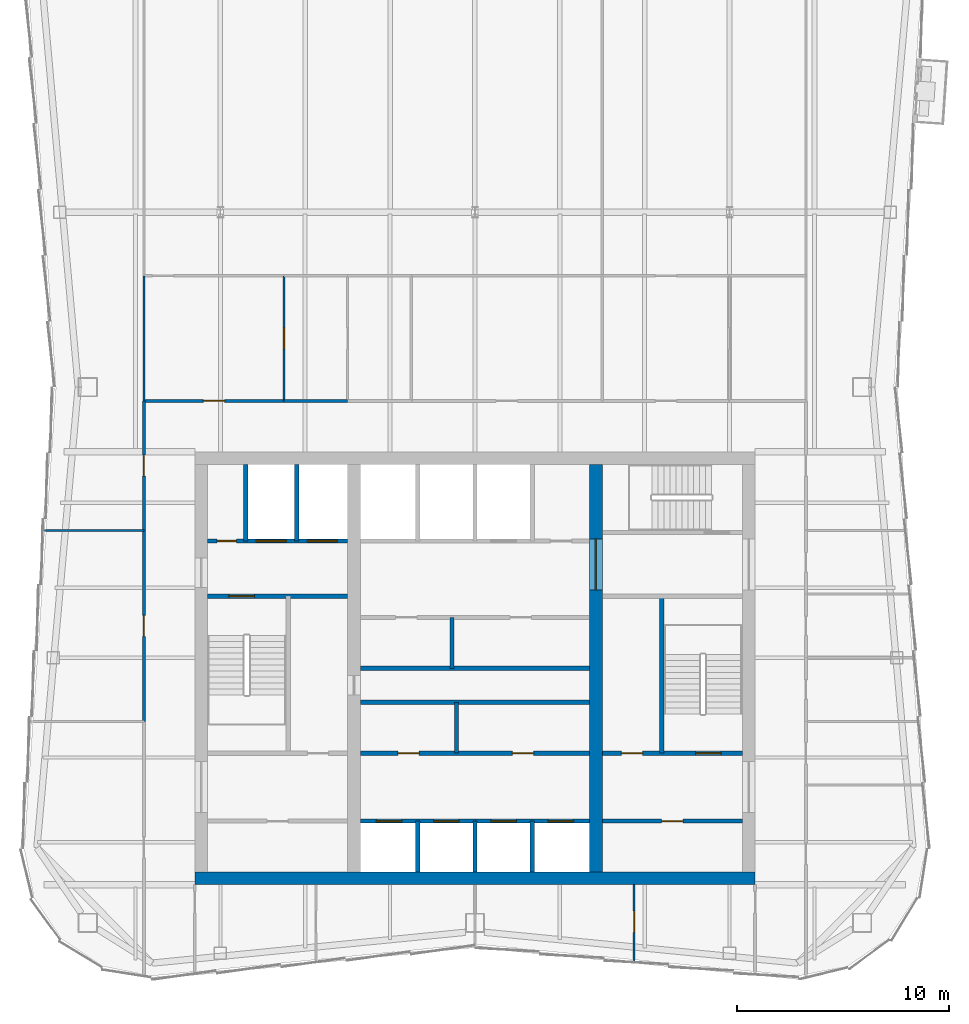
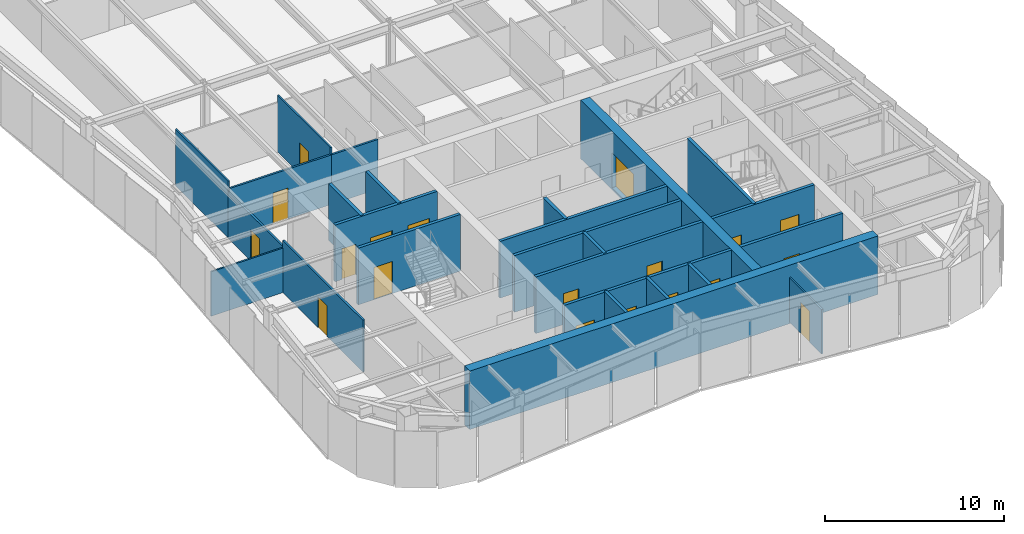
# One storey, part 6 of 10: 26 walls, 19 doors, 19 openings.
"""IFC4 building model written with IfcOpenShell, lengths in metres."""

from ifc_helpers import new_model, si_unit, direction, frame, frame_2d, origin, place, context, subcontext, project, spatial, rectangle, extrude, material, layer, layer_set, type_object, element, fill, save


model = new_model("IFC4")

# Units and contexts
model_context = context("Model", 3, precision=1e-05, world=origin(), true_north=direction((0.0, 1.0)))
body_context = subcontext(model_context, "Body", "Model", "MODEL_VIEW")
ifc_project = project(units=[si_unit("LENGTHUNIT", "METRE"), si_unit("AREAUNIT", "SQUARE_METRE"), si_unit("VOLUMEUNIT", "CUBIC_METRE"), si_unit("PLANEANGLEUNIT", "RADIAN"), si_unit("MASSUNIT", "GRAM", prefix="KILO")], contexts=[model_context])

# Site, building, storey
site_placement = place(None, origin())
site = spatial("IfcSite", under=ifc_project, at=site_placement, CompositionType="ELEMENT")
building_placement = place(site_placement, origin())
building = spatial("IfcBuilding", under=site, at=building_placement, Name="Verdant Reach Tower", CompositionType="ELEMENT")
storey_placement = place(building_placement, frame((0.0, 0.0, 310.0)))
storey = spatial("IfcBuildingStorey", under=building, at=storey_placement, Name="L71", CompositionType="ELEMENT", Elevation=310.0)

# Wall, opening, door
ifc_material_1 = material(Name="Gypsum board on steel studs", Category="steel")
ifc_layer_1 = layer(ifc_material_1, 0.199951171875)
ifc_layer_set_1 = layer_set([ifc_layer_1], Name="CO-WALL-ROOM")
wall_type_1 = type_object("IfcWallType", Name="CO-WALL-ROOM", PredefinedType="PARTITIONING", material=ifc_layer_set_1)
wall_1_placement = place(storey_placement, frame((6.0, 20.800048828125, 0.0), z_axis=(0.0, 0.0, 1.0), x_axis=(1.0, 0.0, 0.0)))
wall_1 = element("IfcWall", 1, at=wall_1_placement, inside=storey, type_object=wall_type_1, Name="Core partition, L71", PredefinedType="PARTITIONING", context=body_context, shape_type="SweptSolid", body=[
    extrude(rectangle(XDim=6.60009765625, YDim=0.199951171875, at=frame_2d((3.300048828125, 0.0))), origin(), (0.0, 0.0, 1.0), 3.8701171875),
])
opening_1_placement = place(wall_1_placement, frame((2.800048828125, 0.0, 0.0)))
opening_1 = element("IfcOpeningElement", 2, at=opening_1_placement, cuts=wall_1, Name="Opening CD", PredefinedType="OPENING", context=body_context, shape_type="SweptSolid", body=[
    extrude(rectangle(XDim=1.0, YDim=2.10009765625, at=frame_2d((0.5, 1.050048828125))), frame((0.0, 0.10986328125, 0.0), z_axis=(0.0, -1.0, 0.0), x_axis=(1.0, 0.0, 0.0)), (0.0, 0.0, 1.0), 0.219970703125),
])
ifc_material_2 = material(Name="Timber", Category="wood")
door_type_1 = type_object("IfcDoorType", Name="CO-DOOR-ROOM", OperationType="NOTDEFINED", PredefinedType="DOOR", material=ifc_material_2)
door_1_placement = place(opening_1_placement, origin())
door_1 = element("IfcDoor", 3, at=door_1_placement, inside=storey, type_object=door_type_1, Name="Core room door, L71", OperationType="SINGLE_SWING_RIGHT", OverallHeight=2.10009765625, OverallWidth=1.0, PredefinedType="DOOR", context=body_context, shape_type="SweptSolid", body=[
    extrude(rectangle(XDim=1.0, YDim=2.10009765625, at=frame_2d((0.5, 1.050048828125))), frame((0.0, 0.02490234375, 0.0), z_axis=(0.0, -1.0, 0.0), x_axis=(1.0, 0.0, 0.0)), (0.0, 0.0, 1.0), 0.050048828125),
])
fill(opening_1, door_1)

# Wall, openings, doors
wall_2_placement = place(storey_placement, frame((-5.39990234375, 24.0, 0.0), z_axis=(0.0, 0.0, 1.0), x_axis=(1.0, 0.0, 0.0)))
wall_2 = element("IfcWall", 4, at=wall_2_placement, inside=storey, type_object=wall_type_1, Name="Core partition, L71", PredefinedType="PARTITIONING", context=body_context, shape_type="SweptSolid", body=[
    extrude(rectangle(XDim=10.7998046875, YDim=0.199951171875, at=frame_2d((5.39990234375, 0.0))), origin(), (0.0, 0.0, 1.0), 3.8701171875),
])
opening_2_placement = place(wall_2_placement, frame((1.76806640625, 0.0, 0.0)))
opening_2 = element("IfcOpeningElement", 5, at=opening_2_placement, cuts=wall_2, Name="Opening CD", PredefinedType="OPENING", context=body_context, shape_type="SweptSolid", body=[
    extrude(rectangle(XDim=1.0, YDim=2.10009765625, at=frame_2d((0.5, 1.050048828125))), frame((0.0, 0.10986328125, 0.0), z_axis=(0.0, -1.0, 0.0), x_axis=(1.0, 0.0, 0.0)), (0.0, 0.0, 1.0), 0.219970703125),
])
opening_3_placement = place(wall_2_placement, frame((7.16796875, 0.0, 0.0)))
opening_3 = element("IfcOpeningElement", 6, at=opening_3_placement, cuts=wall_2, Name="Opening CD", PredefinedType="OPENING", context=body_context, shape_type="SweptSolid", body=[
    extrude(rectangle(XDim=1.0, YDim=2.10009765625, at=frame_2d((0.5, 1.050048828125))), frame((0.0, 0.10986328125, 0.0), z_axis=(0.0, -1.0, 0.0), x_axis=(1.0, 0.0, 0.0)), (0.0, 0.0, 1.0), 0.219970703125),
])
door_2_placement = place(opening_2_placement, origin())
door_2 = element("IfcDoor", 7, at=door_2_placement, inside=storey, type_object=door_type_1, Name="Core room door, L71", OperationType="SINGLE_SWING_LEFT", OverallHeight=2.10009765625, OverallWidth=1.0, PredefinedType="DOOR", context=body_context, shape_type="SweptSolid", body=[
    extrude(rectangle(XDim=1.0, YDim=2.10009765625, at=frame_2d((0.5, 1.050048828125))), frame((0.0, 0.02490234375, 0.0), z_axis=(0.0, -1.0, 0.0), x_axis=(1.0, 0.0, 0.0)), (0.0, 0.0, 1.0), 0.050048828125),
])
fill(opening_2, door_2)
door_3_placement = place(opening_3_placement, origin())
door_3 = element("IfcDoor", 8, at=door_3_placement, inside=storey, type_object=door_type_1, Name="Core room door, L71", OperationType="SINGLE_SWING_RIGHT", OverallHeight=2.10009765625, OverallWidth=1.0, PredefinedType="DOOR", context=body_context, shape_type="SweptSolid", body=[
    extrude(rectangle(XDim=1.0, YDim=2.10009765625, at=frame_2d((0.5, 1.050048828125))), frame((0.0, 0.02490234375, 0.0), z_axis=(0.0, -1.0, 0.0), x_axis=(1.0, 0.0, 0.0)), (0.0, 0.0, 1.0), 0.050048828125),
])
fill(opening_3, door_3)

# Walls
for number, where, z_axis, x_axis, name in (
    (9, (-5.39990234375, 26.39990234375, 0.0), (0.0, 0.0, 1.0), (1.0, 0.0, 0.0), "Core partition, L71"),
    (10, (-5.39990234375, 28.0, 0.0), (0.0, 0.0, 1.0), (1.0, 0.0, 0.0), "Core partition, L71"),
):
    element("IfcWall", number, at=place(storey_placement, frame(where, z_axis=z_axis, x_axis=x_axis)), inside=storey, type_object=wall_type_1, Name=name, PredefinedType="PARTITIONING", context=body_context, shape_type="SweptSolid", body=[
        extrude(rectangle(XDim=10.7998046875, YDim=0.199951171875, at=frame_2d((5.39990234375, 0.0))), origin(), (0.0, 0.0, 1.0), 3.8701171875),
    ])
for number, where, z_axis, x_axis, name in (
    (11, (-1.080078125, 28.0, 0.0), (0.0, 0.0, 1.0), (0.0, 1.0, 0.0), "Core partition, L71"),
    (12, (-0.864013671875, 24.0, 0.0), (0.0, 0.0, 1.0), (0.0, 1.0, 0.0), "Core partition, L71"),
):
    element("IfcWall", number, at=place(storey_placement, frame(where, z_axis=z_axis, x_axis=x_axis)), inside=storey, type_object=wall_type_1, Name=name, PredefinedType="PARTITIONING", context=body_context, shape_type="SweptSolid", body=[
        extrude(rectangle(XDim=2.39990234375, YDim=0.199951171875, at=frame_2d((1.199951171875, 0.0))), origin(), (0.0, 0.0, 1.0), 3.8701171875),
    ])

# Wall, openings, doors
ifc_material_3 = material(Name="Concrete C40/50", Category="concrete")
ifc_layer_2 = layer(ifc_material_3, 0.199951171875)
ifc_layer_set_2 = layer_set([ifc_layer_2], Name="CO-WALL-SHAFT")
wall_type_2 = type_object("IfcWallType", Name="CO-WALL-SHAFT", PredefinedType="PARTITIONING", material=ifc_layer_set_2)
wall_3_placement = place(storey_placement, frame((-5.39990234375, 20.800048828125, 0.0), z_axis=(0.0, 0.0, 1.0), x_axis=(1.0, 0.0, 0.0)))
wall_3 = element("IfcWall", 13, at=wall_3_placement, inside=storey, type_object=wall_type_2, Name="Lift shaft wall, L71", PredefinedType="PARTITIONING", context=body_context, shape_type="SweptSolid", body=[
    extrude(rectangle(XDim=10.7998046875, YDim=0.199951171875, at=frame_2d((5.39990234375, 0.0))), origin(), (0.0, 0.0, 1.0), 3.8701171875),
])
opening_4_placement = place(wall_3_placement, frame((0.75, 0.0, 0.0)))
opening_4 = element("IfcOpeningElement", 14, at=opening_4_placement, cuts=wall_3, Name="Opening LD-B1", PredefinedType="OPENING", context=body_context, shape_type="SweptSolid", body=[
    extrude(rectangle(XDim=1.199951171875, YDim=2.199951171875, at=frame_2d((0.60009765625, 1.10009765625))), frame((0.0, 0.10986328125, 0.0), z_axis=(0.0, -1.0, 0.0), x_axis=(1.0, 0.0, 0.0)), (0.0, 0.0, 1.0), 0.219970703125),
])
opening_5_placement = place(wall_3_placement, frame((3.449951171875, 0.0, 0.0)))
opening_5 = element("IfcOpeningElement", 15, at=opening_5_placement, cuts=wall_3, Name="Opening LD-B2", PredefinedType="OPENING", context=body_context, shape_type="SweptSolid", body=[
    extrude(rectangle(XDim=1.199951171875, YDim=2.199951171875, at=frame_2d((0.60009765625, 1.10009765625))), frame((0.0, 0.10986328125, 0.0), z_axis=(0.0, -1.0, 0.0), x_axis=(1.0, 0.0, 0.0)), (0.0, 0.0, 1.0), 0.219970703125),
])
opening_6_placement = place(wall_3_placement, frame((6.14990234375, 0.0, 0.0)))
opening_6 = element("IfcOpeningElement", 16, at=opening_6_placement, cuts=wall_3, Name="Opening LD-B3", PredefinedType="OPENING", context=body_context, shape_type="SweptSolid", body=[
    extrude(rectangle(XDim=1.199951171875, YDim=2.199951171875, at=frame_2d((0.60009765625, 1.10009765625))), frame((0.0, 0.10986328125, 0.0), z_axis=(0.0, -1.0, 0.0), x_axis=(1.0, 0.0, 0.0)), (0.0, 0.0, 1.0), 0.219970703125),
])
opening_7_placement = place(wall_3_placement, frame((8.85009765625, 0.0, 0.0)))
opening_7 = element("IfcOpeningElement", 17, at=opening_7_placement, cuts=wall_3, Name="Opening LD-B4", PredefinedType="OPENING", context=body_context, shape_type="SweptSolid", body=[
    extrude(rectangle(XDim=1.199951171875, YDim=2.199951171875, at=frame_2d((0.60009765625, 1.10009765625))), frame((0.0, 0.10986328125, 0.0), z_axis=(0.0, -1.0, 0.0), x_axis=(1.0, 0.0, 0.0)), (0.0, 0.0, 1.0), 0.219970703125),
])
ifc_material_4 = material(Name="Stainless steel", Category="steel")
door_type_2 = type_object("IfcDoorType", Name="CO-DOOR-LANDING", OperationType="SLIDING_TO_LEFT", PredefinedType="DOOR", material=ifc_material_4)
door_4_placement = place(opening_4_placement, origin())
door_4 = element("IfcDoor", 18, at=door_4_placement, inside=storey, type_object=door_type_2, Name="Landing door B1, L71", OperationType="SLIDING_TO_LEFT", OverallHeight=2.199951171875, OverallWidth=1.199951171875, PredefinedType="DOOR", context=body_context, shape_type="SweptSolid", body=[
    extrude(rectangle(XDim=1.199951171875, YDim=2.199951171875, at=frame_2d((0.60009765625, 1.10009765625))), frame((0.0, 0.02490234375, 0.0), z_axis=(0.0, -1.0, 0.0), x_axis=(1.0, 0.0, 0.0)), (0.0, 0.0, 1.0), 0.050048828125),
])
fill(opening_4, door_4)
door_5_placement = place(opening_5_placement, origin())
door_5 = element("IfcDoor", 19, at=door_5_placement, inside=storey, type_object=door_type_2, Name="Landing door B2, L71", OperationType="SLIDING_TO_LEFT", OverallHeight=2.199951171875, OverallWidth=1.199951171875, PredefinedType="DOOR", context=body_context, shape_type="SweptSolid", body=[
    extrude(rectangle(XDim=1.199951171875, YDim=2.199951171875, at=frame_2d((0.60009765625, 1.10009765625))), frame((0.0, 0.02490234375, 0.0), z_axis=(0.0, -1.0, 0.0), x_axis=(1.0, 0.0, 0.0)), (0.0, 0.0, 1.0), 0.050048828125),
])
fill(opening_5, door_5)
door_6_placement = place(opening_6_placement, origin())
door_6 = element("IfcDoor", 20, at=door_6_placement, inside=storey, type_object=door_type_2, Name="Landing door B3, L71", OperationType="SLIDING_TO_LEFT", OverallHeight=2.199951171875, OverallWidth=1.199951171875, PredefinedType="DOOR", context=body_context, shape_type="SweptSolid", body=[
    extrude(rectangle(XDim=1.199951171875, YDim=2.199951171875, at=frame_2d((0.60009765625, 1.10009765625))), frame((0.0, 0.02490234375, 0.0), z_axis=(0.0, -1.0, 0.0), x_axis=(1.0, 0.0, 0.0)), (0.0, 0.0, 1.0), 0.050048828125),
])
fill(opening_6, door_6)
door_7_placement = place(opening_7_placement, origin())
door_7 = element("IfcDoor", 21, at=door_7_placement, inside=storey, type_object=door_type_2, Name="Landing door B4, L71", OperationType="SLIDING_TO_LEFT", OverallHeight=2.199951171875, OverallWidth=1.199951171875, PredefinedType="DOOR", context=body_context, shape_type="SweptSolid", body=[
    extrude(rectangle(XDim=1.199951171875, YDim=2.199951171875, at=frame_2d((0.60009765625, 1.10009765625))), frame((0.0, 0.02490234375, 0.0), z_axis=(0.0, -1.0, 0.0), x_axis=(1.0, 0.0, 0.0)), (0.0, 0.0, 1.0), 0.050048828125),
])
fill(opening_7, door_7)

wall_4_placement = place(storey_placement, frame((-12.60009765625, 34.0, 0.0), z_axis=(0.0, 0.0, 1.0), x_axis=(1.0, 0.0, 0.0)))
wall_4 = element("IfcWall", 22, at=wall_4_placement, inside=storey, type_object=wall_type_2, Name="Lift shaft wall, L71", PredefinedType="PARTITIONING", context=body_context, shape_type="SweptSolid", body=[
    extrude(rectangle(XDim=6.60009765625, YDim=0.199951171875, at=frame_2d((3.300048828125, 0.0))), origin(), (0.0, 0.0, 1.0), 3.8701171875),
])
opening_8_placement = place(wall_4_placement, frame((4.699951171875, 0.0, 0.0)))
opening_8 = element("IfcOpeningElement", 23, at=opening_8_placement, cuts=wall_4, Name="Opening LD-F1", PredefinedType="OPENING", context=body_context, shape_type="SweptSolid", body=[
    extrude(rectangle(XDim=1.39990234375, YDim=2.199951171875, at=frame_2d((0.699951171875, 1.10009765625))), frame((0.0, 0.10986328125, 0.0), z_axis=(0.0, -1.0, 0.0), x_axis=(1.0, 0.0, 0.0)), (0.0, 0.0, 1.0), 0.219970703125),
])
opening_9_placement = place(wall_4_placement, frame((2.300048828125, 0.0, 0.0)))
opening_9 = element("IfcOpeningElement", 24, at=opening_9_placement, cuts=wall_4, Name="Opening LD-F2", PredefinedType="OPENING", context=body_context, shape_type="SweptSolid", body=[
    extrude(rectangle(XDim=1.39990234375, YDim=2.199951171875, at=frame_2d((0.699951171875, 1.10009765625))), frame((0.0, 0.10986328125, 0.0), z_axis=(0.0, -1.0, 0.0), x_axis=(1.0, 0.0, 0.0)), (0.0, 0.0, 1.0), 0.219970703125),
])
opening_10_placement = place(wall_4_placement, frame((0.449951171875, 0.0, 0.0)))
opening_10 = element("IfcOpeningElement", 25, at=opening_10_placement, cuts=wall_4, Name="Opening RD", PredefinedType="OPENING", context=body_context, shape_type="SweptSolid", body=[
    extrude(rectangle(XDim=0.89990234375, YDim=2.10009765625, at=frame_2d((0.449951171875, 1.050048828125))), frame((0.0, 0.10986328125, 0.0), z_axis=(0.0, -1.0, 0.0), x_axis=(1.0, 0.0, 0.0)), (0.0, 0.0, 1.0), 0.219970703125),
])
door_type_3 = type_object("IfcDoorType", Name="CO-DOOR-LANDING-FF", OperationType="SLIDING_TO_LEFT", PredefinedType="DOOR", material=ifc_material_4)
door_8_placement = place(opening_8_placement, origin())
door_8 = element("IfcDoor", 26, at=door_8_placement, inside=storey, type_object=door_type_3, Name="Landing door F1, L71", OperationType="SLIDING_TO_LEFT", OverallHeight=2.199951171875, OverallWidth=1.39990234375, PredefinedType="DOOR", context=body_context, shape_type="SweptSolid", body=[
    extrude(rectangle(XDim=1.39990234375, YDim=2.199951171875, at=frame_2d((0.699951171875, 1.10009765625))), frame((0.0, 0.02490234375, 0.0), z_axis=(0.0, -1.0, 0.0), x_axis=(1.0, 0.0, 0.0)), (0.0, 0.0, 1.0), 0.050048828125),
])
fill(opening_8, door_8)
door_9_placement = place(opening_9_placement, origin())
door_9 = element("IfcDoor", 27, at=door_9_placement, inside=storey, type_object=door_type_3, Name="Landing door F2, L71", OperationType="SLIDING_TO_LEFT", OverallHeight=2.199951171875, OverallWidth=1.39990234375, PredefinedType="DOOR", context=body_context, shape_type="SweptSolid", body=[
    extrude(rectangle(XDim=1.39990234375, YDim=2.199951171875, at=frame_2d((0.699951171875, 1.10009765625))), frame((0.0, 0.02490234375, 0.0), z_axis=(0.0, -1.0, 0.0), x_axis=(1.0, 0.0, 0.0)), (0.0, 0.0, 1.0), 0.050048828125),
])
fill(opening_9, door_9)
ifc_material_5 = material(Name="Steel", Category="steel")
door_type_4 = type_object("IfcDoorType", Name="CO-DOOR-RISER", OperationType="NOTDEFINED", PredefinedType="DOOR", material=ifc_material_5)
door_10_placement = place(opening_10_placement, origin())
door_10 = element("IfcDoor", 28, at=door_10_placement, inside=storey, type_object=door_type_4, Name="Core room door, L71", OperationType="SINGLE_SWING_RIGHT", OverallHeight=2.10009765625, OverallWidth=0.89990234375, PredefinedType="DOOR", context=body_context, shape_type="SweptSolid", body=[
    extrude(rectangle(XDim=0.89990234375, YDim=2.10009765625, at=frame_2d((0.449951171875, 1.050048828125))), frame((0.0, 0.02490234375, 0.0), z_axis=(0.0, -1.0, 0.0), x_axis=(1.0, 0.0, 0.0)), (0.0, 0.0, 1.0), 0.050048828125),
])
fill(opening_10, door_10)

# Walls
for number, where, z_axis, x_axis, name in (
    (29, (-10.800048828125, 34.0, 0.0), (0.0, 0.0, 1.0), (0.0, 1.0, 0.0), "Lift shaft wall, L71"),
    (30, (-8.39990234375, 34.0, 0.0), (0.0, 0.0, 1.0), (0.0, 1.0, 0.0), "Lift shaft wall, L71"),
):
    element("IfcWall", number, at=place(storey_placement, frame(where, z_axis=z_axis, x_axis=x_axis)), inside=storey, type_object=wall_type_2, Name=name, PredefinedType="PARTITIONING", context=body_context, shape_type="SweptSolid", body=[
        extrude(rectangle(XDim=3.60009765625, YDim=0.199951171875, at=frame_2d((1.800048828125, 0.0))), origin(), (0.0, 0.0, 1.0), 3.8701171875),
    ])
for number, where, z_axis, x_axis, name in (
    (31, (-2.699951171875, 18.39990234375, 0.0), (0.0, 0.0, 1.0), (0.0, 1.0, 0.0), "Lift shaft wall, L71"),
    (32, (0.0, 18.39990234375, 0.0), (0.0, 0.0, 1.0), (0.0, 1.0, 0.0), "Lift shaft wall, L71"),
    (33, (2.699951171875, 18.39990234375, 0.0), (0.0, 0.0, 1.0), (0.0, 1.0, 0.0), "Lift shaft wall, L71"),
):
    element("IfcWall", number, at=place(storey_placement, frame(where, z_axis=z_axis, x_axis=x_axis)), inside=storey, type_object=wall_type_2, Name=name, PredefinedType="PARTITIONING", context=body_context, shape_type="SweptSolid", body=[
        extrude(rectangle(XDim=2.400146484375, YDim=0.199951171875, at=frame_2d((1.2001953125, 0.0))), origin(), (0.0, 0.0, 1.0), 3.8701171875),
    ])

# Wall, openings, doors
ifc_layer_3 = layer(ifc_material_3, 0.199951171875)
ifc_layer_set_3 = layer_set([ifc_layer_3], Name="CO-WALL-STAIR")
wall_type_3 = type_object("IfcWallType", Name="CO-WALL-STAIR", PredefinedType="PARTITIONING", material=ifc_layer_set_3)
wall_5_placement = place(storey_placement, frame((6.0, 24.0, 0.0), z_axis=(0.0, 0.0, 1.0), x_axis=(1.0, 0.0, 0.0)))
wall_5 = element("IfcWall", 34, at=wall_5_placement, inside=storey, type_object=wall_type_3, Name="Stair enclosure wall, L71", PredefinedType="PARTITIONING", context=body_context, shape_type="SweptSolid", body=[
    extrude(rectangle(XDim=6.60009765625, YDim=0.199951171875, at=frame_2d((3.300048828125, 0.0))), origin(), (0.0, 0.0, 1.0), 3.8701171875),
])
opening_11_placement = place(wall_5_placement, frame((0.89990234375, 0.0, 0.0)))
opening_11 = element("IfcOpeningElement", 35, at=opening_11_placement, cuts=wall_5, Name="Opening CD", PredefinedType="OPENING", context=body_context, shape_type="SweptSolid", body=[
    extrude(rectangle(XDim=1.0, YDim=2.10009765625, at=frame_2d((0.5, 1.050048828125))), frame((0.0, 0.10986328125, 0.0), z_axis=(0.0, -1.0, 0.0), x_axis=(1.0, 0.0, 0.0)), (0.0, 0.0, 1.0), 0.219970703125),
])
opening_12_placement = place(wall_5_placement, frame((4.39990234375, 0.0, 0.0)))
opening_12 = element("IfcOpeningElement", 36, at=opening_12_placement, cuts=wall_5, Name="Opening SD", PredefinedType="OPENING", context=body_context, shape_type="SweptSolid", body=[
    extrude(rectangle(XDim=1.199951171875, YDim=2.199951171875, at=frame_2d((0.60009765625, 1.10009765625))), frame((0.0, 0.10986328125, 0.0), z_axis=(0.0, -1.0, 0.0), x_axis=(1.0, 0.0, 0.0)), (0.0, 0.0, 1.0), 0.219970703125),
])
door_11_placement = place(opening_11_placement, origin())
door_11 = element("IfcDoor", 37, at=door_11_placement, inside=storey, type_object=door_type_1, Name="Core room door, L71", OperationType="SINGLE_SWING_LEFT", OverallHeight=2.10009765625, OverallWidth=1.0, PredefinedType="DOOR", context=body_context, shape_type="SweptSolid", body=[
    extrude(rectangle(XDim=1.0, YDim=2.10009765625, at=frame_2d((0.5, 1.050048828125))), frame((0.0, 0.02490234375, 0.0), z_axis=(0.0, -1.0, 0.0), x_axis=(1.0, 0.0, 0.0)), (0.0, 0.0, 1.0), 0.050048828125),
])
fill(opening_11, door_11)
door_type_5 = type_object("IfcDoorType", Name="CO-DOOR-STAIR", OperationType="NOTDEFINED", PredefinedType="DOOR", material=ifc_material_5)
door_12_placement = place(opening_12_placement, origin())
door_12 = element("IfcDoor", 38, at=door_12_placement, inside=storey, type_object=door_type_5, Name="Stair door, L71", OperationType="SINGLE_SWING_LEFT", OverallHeight=2.199951171875, OverallWidth=1.199951171875, PredefinedType="DOOR", context=body_context, shape_type="SweptSolid", body=[
    extrude(rectangle(XDim=1.199951171875, YDim=2.199951171875, at=frame_2d((0.60009765625, 1.10009765625))), frame((0.0, 0.02490234375, 0.0), z_axis=(0.0, -1.0, 0.0), x_axis=(1.0, 0.0, 0.0)), (0.0, 0.0, 1.0), 0.050048828125),
])
fill(opening_12, door_12)

# Wall, opening, door
wall_6_placement = place(storey_placement, frame((-12.60009765625, 31.39990234375, 0.0), z_axis=(0.0, 0.0, 1.0), x_axis=(1.0, 0.0, 0.0)))
wall_6 = element("IfcWall", 39, at=wall_6_placement, inside=storey, type_object=wall_type_3, Name="Stair enclosure wall, L71", PredefinedType="PARTITIONING", context=body_context, shape_type="SweptSolid", body=[
    extrude(rectangle(XDim=6.60009765625, YDim=0.199951171875, at=frame_2d((3.300048828125, 0.0))), origin(), (0.0, 0.0, 1.0), 3.8701171875),
])
opening_13_placement = place(wall_6_placement, frame((1.0, 0.0, 0.0)))
opening_13 = element("IfcOpeningElement", 40, at=opening_13_placement, cuts=wall_6, Name="Opening SD", PredefinedType="OPENING", context=body_context, shape_type="SweptSolid", body=[
    extrude(rectangle(XDim=1.199951171875, YDim=2.199951171875, at=frame_2d((0.60009765625, 1.10009765625))), frame((0.0, 0.10986328125, 0.0), z_axis=(0.0, -1.0, 0.0), x_axis=(1.0, 0.0, 0.0)), (0.0, 0.0, 1.0), 0.219970703125),
])
door_13_placement = place(opening_13_placement, origin())
door_13 = element("IfcDoor", 41, at=door_13_placement, inside=storey, type_object=door_type_5, Name="Stair door, L71", OperationType="SINGLE_SWING_RIGHT", OverallHeight=2.199951171875, OverallWidth=1.199951171875, PredefinedType="DOOR", context=body_context, shape_type="SweptSolid", body=[
    extrude(rectangle(XDim=1.199951171875, YDim=2.199951171875, at=frame_2d((0.60009765625, 1.10009765625))), frame((0.0, 0.02490234375, 0.0), z_axis=(0.0, -1.0, 0.0), x_axis=(1.0, 0.0, 0.0)), (0.0, 0.0, 1.0), 0.050048828125),
])
fill(opening_13, door_13)

# Walls
wall_7_placement = place(storey_placement, frame((8.800048828125, 24.0, 0.0), z_axis=(0.0, 0.0, 1.0), x_axis=(0.0, 1.0, 0.0)))
element("IfcWall", 42, at=wall_7_placement, inside=storey, type_object=wall_type_3, Name="Stair enclosure wall, L71", PredefinedType="PARTITIONING", context=body_context, shape_type="SweptSolid", body=[
    extrude(rectangle(XDim=7.39990234375, YDim=0.199951171875, at=frame_2d((3.699951171875, 0.0))), origin(), (0.0, 0.0, 1.0), 3.8701171875),
])
ifc_layer_4 = layer(ifc_material_1, 0.10009765625)
ifc_layer_set_4 = layer_set([ifc_layer_4], Name="FL-W1 Partition 100")
wall_type_4 = type_object("IfcWallType", Name="FL-W1 Partition 100", PredefinedType="PARTITIONING", material=ifc_layer_set_4)
wall_8_placement = place(storey_placement, frame((-15.60009765625, 34.5, 0.0), z_axis=(0.0, 0.0, 1.0), x_axis=(-1.0, 0.0, 0.0)))
element("IfcWall", 43, at=wall_8_placement, inside=storey, type_object=wall_type_4, Name="Partition 71.19", PredefinedType="PARTITIONING", context=body_context, shape_type="SweptSolid", body=[
    extrude(rectangle(XDim=4.6953125, YDim=0.10009765625, at=frame_2d((2.34765625, 0.0))), origin(), (0.0, 0.0, 1.0), 3.0400390625),
])
wall_9_placement = place(storey_placement, frame((-15.60009765625, 40.60009765625, 0.0), z_axis=(0.0, 0.0, 1.0), x_axis=(0.0, 1.0, 0.0)))
element("IfcWall", 44, at=wall_9_placement, inside=storey, type_object=wall_type_4, Name="Partition 71.20", PredefinedType="PARTITIONING", context=body_context, shape_type="SweptSolid", body=[
    extrude(rectangle(XDim=5.89990234375, YDim=0.10009765625, at=frame_2d((2.949951171875, 0.0))), origin(), (0.0, 0.0, 1.0), 3.8701171875),
])

# Wall, opening, door
wall_10_placement = place(storey_placement, frame((7.5, 14.182373046875, 0.0), z_axis=(0.0, 0.0, 1.0), x_axis=(0.0, 1.0, 0.0)))
wall_10 = element("IfcWall", 45, at=wall_10_placement, inside=storey, type_object=wall_type_4, Name="Partition 71.33", PredefinedType="PARTITIONING", context=body_context, shape_type="SweptSolid", body=[
    extrude(rectangle(XDim=3.61767578125, YDim=0.10009765625, at=frame_2d((1.808837890625, 0.0))), origin(), (0.0, 0.0, 1.0), 3.0400390625),
])
opening_14_placement = place(wall_10_placement, frame((1.3740234375, 0.0, 0.0)))
opening_14 = element("IfcOpeningElement", 46, at=opening_14_placement, cuts=wall_10, Name="Opening D3", PredefinedType="OPENING", context=body_context, shape_type="SweptSolid", body=[
    extrude(rectangle(XDim=1.0, YDim=2.10009765625, at=frame_2d((0.5, 1.050048828125))), frame((0.0, 0.06005859375, 0.0), z_axis=(0.0, -1.0, 0.0), x_axis=(1.0, 0.0, 0.0)), (0.0, 0.0, 1.0), 0.1201171875),
])
ifc_material_6 = material(Name="Painted timber door leaf", Category="wood")
door_type_6 = type_object("IfcDoorType", Name="FL-D3 Door 1000x2100", OperationType="NOTDEFINED", PredefinedType="DOOR", material=ifc_material_6)
door_14_placement = place(opening_14_placement, origin())
door_14 = element("IfcDoor", 47, at=door_14_placement, inside=storey, type_object=door_type_6, Name="Door 71-016", OperationType="SINGLE_SWING_RIGHT", OverallHeight=2.10009765625, OverallWidth=1.0, PredefinedType="DOOR", context=body_context, shape_type="SweptSolid", body=[
    extrude(rectangle(XDim=1.0, YDim=2.10009765625, at=frame_2d((0.5, 1.050048828125))), frame((0.0, 0.02490234375, 0.0), z_axis=(0.0, -1.0, 0.0), x_axis=(1.0, 0.0, 0.0)), (0.0, 0.0, 1.0), 0.050048828125),
])
fill(opening_14, door_14)

wall_11_placement = place(storey_placement, frame((-9.0, 46.5, 0.0), z_axis=(0.0, 0.0, 1.0), x_axis=(0.0, -1.0, 0.0)))
wall_11 = element("IfcWall", 48, at=wall_11_placement, inside=storey, type_object=wall_type_4, Name="Partition 71.34", PredefinedType="PARTITIONING", context=body_context, shape_type="SweptSolid", body=[
    extrude(rectangle(XDim=5.89990234375, YDim=0.10009765625, at=frame_2d((2.949951171875, 0.0))), origin(), (0.0, 0.0, 1.0), 3.8701171875),
])
opening_15_placement = place(wall_11_placement, frame((2.449951171875, 0.0, 0.0)))
opening_15 = element("IfcOpeningElement", 49, at=opening_15_placement, cuts=wall_11, Name="Opening D3", PredefinedType="OPENING", context=body_context, shape_type="SweptSolid", body=[
    extrude(rectangle(XDim=1.0, YDim=2.10009765625, at=frame_2d((0.5, 1.050048828125))), frame((0.0, 0.06005859375, 0.0), z_axis=(0.0, -1.0, 0.0), x_axis=(1.0, 0.0, 0.0)), (0.0, 0.0, 1.0), 0.1201171875),
])
door_15_placement = place(opening_15_placement, origin())
door_15 = element("IfcDoor", 50, at=door_15_placement, inside=storey, type_object=door_type_6, Name="Door 71-017", OperationType="SINGLE_SWING_LEFT", OverallHeight=2.10009765625, OverallWidth=1.0, PredefinedType="DOOR", context=body_context, shape_type="SweptSolid", body=[
    extrude(rectangle(XDim=1.0, YDim=2.10009765625, at=frame_2d((0.5, 1.050048828125))), frame((0.0, 0.02490234375, 0.0), z_axis=(0.0, -1.0, 0.0), x_axis=(1.0, 0.0, 0.0)), (0.0, 0.0, 1.0), 0.050048828125),
])
fill(opening_15, door_15)

ifc_material_7 = material(Name="Gypsum board on steel studs, fire rated", Category="steel")
ifc_layer_5 = layer(ifc_material_7, 0.125)
ifc_layer_set_5 = layer_set([ifc_layer_5], Name="FL-W2 Corridor wall 125")
wall_type_5 = type_object("IfcWallType", Name="FL-W2 Corridor wall 125", PredefinedType="PARTITIONING", material=ifc_layer_set_5)
wall_12_placement = place(storey_placement, frame((-15.60009765625, 25.5, 0.0), z_axis=(0.0, 0.0, 1.0), x_axis=(0.0, 1.0, 0.0)))
wall_12 = element("IfcWall", 51, at=wall_12_placement, inside=storey, type_object=wall_type_5, Name="Partition 71.02", PredefinedType="PARTITIONING", context=body_context, shape_type="SweptSolid", body=[
    extrude(rectangle(XDim=9.0, YDim=0.125, at=frame_2d((4.5, 0.0))), origin(), (0.0, 0.0, 1.0), 3.5400390625),
])
opening_16_placement = place(wall_12_placement, frame((4.0, 0.0, 0.0)))
opening_16 = element("IfcOpeningElement", 52, at=opening_16_placement, cuts=wall_12, Name="Opening D2", PredefinedType="OPENING", context=body_context, shape_type="SweptSolid", body=[
    extrude(rectangle(XDim=1.0, YDim=2.10009765625, at=frame_2d((0.5, 1.050048828125))), frame((0.0, 0.072509765625, 0.0), z_axis=(0.0, -1.0, 0.0), x_axis=(1.0, 0.0, 0.0)), (0.0, 0.0, 1.0), 0.14501953125),
])
ifc_material_8 = material(Name="Timber door leaf, fire rated", Category="wood")
door_type_7 = type_object("IfcDoorType", Name="FL-D2 Entrance door 1000x2100 FD30", OperationType="NOTDEFINED", PredefinedType="DOOR", material=ifc_material_8)
door_16_placement = place(opening_16_placement, origin())
door_16 = element("IfcDoor", 53, at=door_16_placement, inside=storey, type_object=door_type_7, Name="Door 71-002", OperationType="SINGLE_SWING_RIGHT", OverallHeight=2.10009765625, OverallWidth=1.0, PredefinedType="DOOR", context=body_context, shape_type="SweptSolid", body=[
    extrude(rectangle(XDim=1.0, YDim=2.10009765625, at=frame_2d((0.5, 1.050048828125))), frame((0.0, 0.02490234375, 0.0), z_axis=(0.0, -1.0, 0.0), x_axis=(1.0, 0.0, 0.0)), (0.0, 0.0, 1.0), 0.050048828125),
])
fill(opening_16, door_16)

wall_13_placement = place(storey_placement, frame((-15.60009765625, 34.5, 0.0), z_axis=(0.0, 0.0, 1.0), x_axis=(0.0, 1.0, 0.0)))
wall_13 = element("IfcWall", 54, at=wall_13_placement, inside=storey, type_object=wall_type_5, Name="Partition 71.03", PredefinedType="PARTITIONING", context=body_context, shape_type="SweptSolid", body=[
    extrude(rectangle(XDim=6.10400390625, YDim=0.125, at=frame_2d((3.052001953125, 0.0))), origin(), (0.0, 0.0, 1.0), 3.139892578125),
])
opening_17_placement = place(wall_13_placement, frame((2.552001953125, 0.0, 0.0)))
opening_17 = element("IfcOpeningElement", 55, at=opening_17_placement, cuts=wall_13, Name="Opening D2", PredefinedType="OPENING", context=body_context, shape_type="SweptSolid", body=[
    extrude(rectangle(XDim=1.0, YDim=2.10009765625, at=frame_2d((0.5, 1.050048828125))), frame((0.0, 0.072509765625, 0.0), z_axis=(0.0, -1.0, 0.0), x_axis=(1.0, 0.0, 0.0)), (0.0, 0.0, 1.0), 0.14501953125),
])
door_17_placement = place(opening_17_placement, origin())
door_17 = element("IfcDoor", 56, at=door_17_placement, inside=storey, type_object=door_type_7, Name="Door 71-003", OperationType="SINGLE_SWING_LEFT", OverallHeight=2.10009765625, OverallWidth=1.0, PredefinedType="DOOR", context=body_context, shape_type="SweptSolid", body=[
    extrude(rectangle(XDim=1.0, YDim=2.10009765625, at=frame_2d((0.5, 1.050048828125))), frame((0.0, 0.02490234375, 0.0), z_axis=(0.0, -1.0, 0.0), x_axis=(1.0, 0.0, 0.0)), (0.0, 0.0, 1.0), 0.050048828125),
])
fill(opening_17, door_17)

wall_14_placement = place(storey_placement, frame((-15.60009765625, 40.60009765625, 0.0), z_axis=(0.0, 0.0, 1.0), x_axis=(1.0, 0.0, 0.0)))
wall_14 = element("IfcWall", 57, at=wall_14_placement, inside=storey, type_object=wall_type_5, Name="Partition 71.12", PredefinedType="PARTITIONING", context=body_context, shape_type="SweptSolid", body=[
    extrude(rectangle(XDim=6.60009765625, YDim=0.125, at=frame_2d((3.300048828125, 0.0))), origin(), (0.0, 0.0, 1.0), 3.389892578125),
])
opening_18_placement = place(wall_14_placement, frame((2.800048828125, 0.0, 0.0)))
opening_18 = element("IfcOpeningElement", 58, at=opening_18_placement, cuts=wall_14, Name="Opening D2", PredefinedType="OPENING", context=body_context, shape_type="SweptSolid", body=[
    extrude(rectangle(XDim=1.0, YDim=2.10009765625, at=frame_2d((0.5, 1.050048828125))), frame((0.0, 0.072509765625, 0.0), z_axis=(0.0, -1.0, 0.0), x_axis=(1.0, 0.0, 0.0)), (0.0, 0.0, 1.0), 0.14501953125),
])
door_18_placement = place(opening_18_placement, origin())
door_18 = element("IfcDoor", 59, at=door_18_placement, inside=storey, type_object=door_type_7, Name="Door 71-012", OperationType="SINGLE_SWING_RIGHT", OverallHeight=2.10009765625, OverallWidth=1.0, PredefinedType="DOOR", context=body_context, shape_type="SweptSolid", body=[
    extrude(rectangle(XDim=1.0, YDim=2.10009765625, at=frame_2d((0.5, 1.050048828125))), frame((0.0, 0.02490234375, 0.0), z_axis=(0.0, -1.0, 0.0), x_axis=(1.0, 0.0, 0.0)), (0.0, 0.0, 1.0), 0.050048828125),
])
fill(opening_18, door_18)

# Walls
wall_15_placement = place(storey_placement, frame((-6.0, 40.60009765625, 0.0), z_axis=(0.0, 0.0, 1.0), x_axis=(-1.0, 0.0, 0.0)))
element("IfcWall", 60, at=wall_15_placement, inside=storey, type_object=wall_type_5, Name="Partition 71.13", PredefinedType="PARTITIONING", context=body_context, shape_type="SweptSolid", body=[
    extrude(rectangle(XDim=3.0, YDim=0.125, at=frame_2d((1.5, 0.0))), origin(), (0.0, 0.0, 1.0), 3.389892578125),
])
ifc_material_9 = material(Name="Concrete C70/85", Category="concrete")
ifc_layer_6 = layer(ifc_material_9, 0.60009765625)
ifc_layer_set_6 = layer_set([ifc_layer_6], Name="ST-CORE-WALL-600")
wall_type_6 = type_object("IfcWallType", Name="ST-CORE-WALL-600", PredefinedType="SHEAR", material=ifc_layer_set_6)
wall_16_placement = place(storey_placement, frame((-13.199951171875, 18.10009765625, -0.1298828125), z_axis=(0.0, 0.0, 1.0), x_axis=(1.0, 0.0, 0.0)))
element("IfcWall", 61, at=wall_16_placement, inside=storey, type_object=wall_type_6, Name="Core wall S, L71", PredefinedType="SHEAR", context=body_context, shape_type="SweptSolid", body=[
    extrude(rectangle(XDim=26.39990234375, YDim=0.60009765625, at=frame_2d((13.199951171875, 0.0))), origin(), (0.0, 0.0, 1.0), 4.0),
])

# Wall, opening, door
wall_17_placement = place(storey_placement, frame((5.699951171875, 18.39990234375, -0.1298828125), z_axis=(0.0, 0.0, 1.0), x_axis=(0.0, 1.0, 0.0)))
wall_17 = element("IfcWall", 62, at=wall_17_placement, inside=storey, type_object=wall_type_6, Name="Core wall XE, L71", PredefinedType="SHEAR", context=body_context, shape_type="SweptSolid", body=[
    extrude(rectangle(XDim=19.2001953125, YDim=0.60009765625, at=frame_2d((9.60009765625, 0.0))), origin(), (0.0, 0.0, 1.0), 4.0),
])
opening_19_placement = place(wall_17_placement, frame((13.300048828125, 0.0, 0.1298828125)))
opening_19 = element("IfcOpeningElement", 63, at=opening_19_placement, cuts=wall_17, Name="Opening LB", PredefinedType="OPENING", context=body_context, shape_type="SweptSolid", body=[
    extrude(rectangle(XDim=2.39990234375, YDim=2.39990234375, at=frame_2d((1.199951171875, 1.199951171875))), frame((0.0, 0.31005859375, 0.0), z_axis=(0.0, -1.0, 0.0), x_axis=(1.0, 0.0, 0.0)), (0.0, 0.0, 1.0), 0.6201171875),
])
ifc_material_10 = material(Name="Glass and steel", Category="steel")
door_type_8 = type_object("IfcDoorType", Name="CO-DOOR-LOBBY", OperationType="DOUBLE_DOOR_SINGLE_SWING", PredefinedType="DOOR", material=ifc_material_10)
door_19_placement = place(opening_19_placement, origin())
door_19 = element("IfcDoor", 64, at=door_19_placement, inside=storey, type_object=door_type_8, Name="Core entrance door, L71", OperationType="DOUBLE_DOOR_SINGLE_SWING", OverallHeight=2.39990234375, OverallWidth=2.39990234375, PredefinedType="DOOR", context=body_context, shape_type="SweptSolid", body=[
    extrude(rectangle(XDim=2.39990234375, YDim=2.39990234375, at=frame_2d((1.199951171875, 1.199951171875))), frame((0.0, 0.02490234375, 0.0), z_axis=(0.0, -1.0, 0.0), x_axis=(1.0, 0.0, 0.0)), (0.0, 0.0, 1.0), 0.050048828125),
])
fill(opening_19, door_19)

save(model, "model.ifc")
